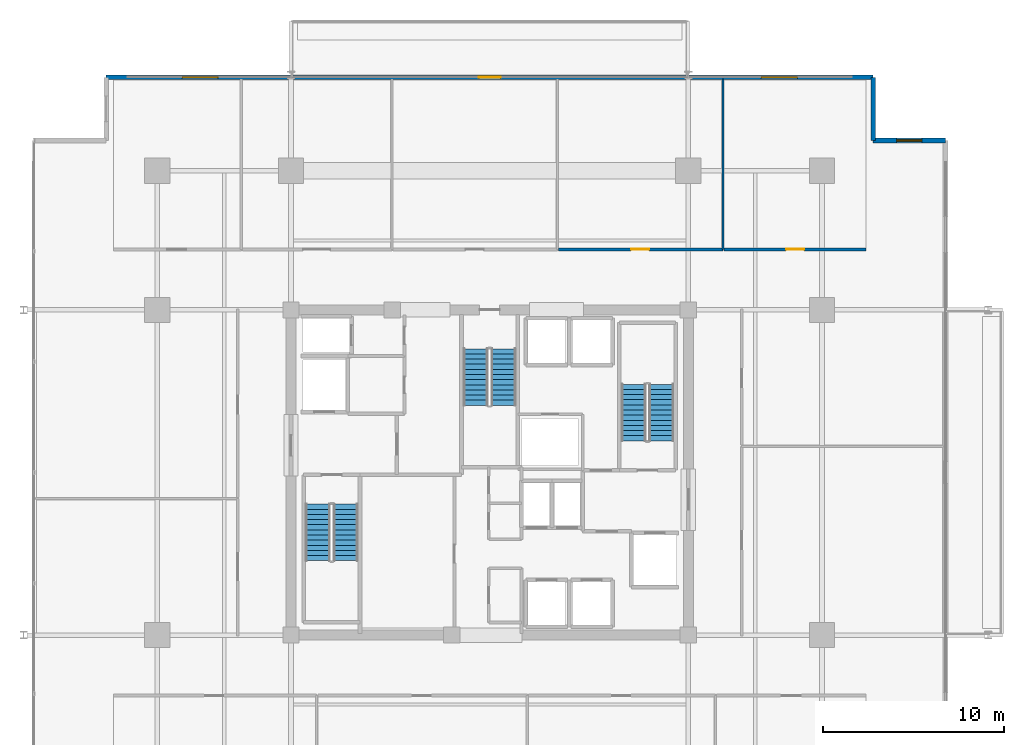
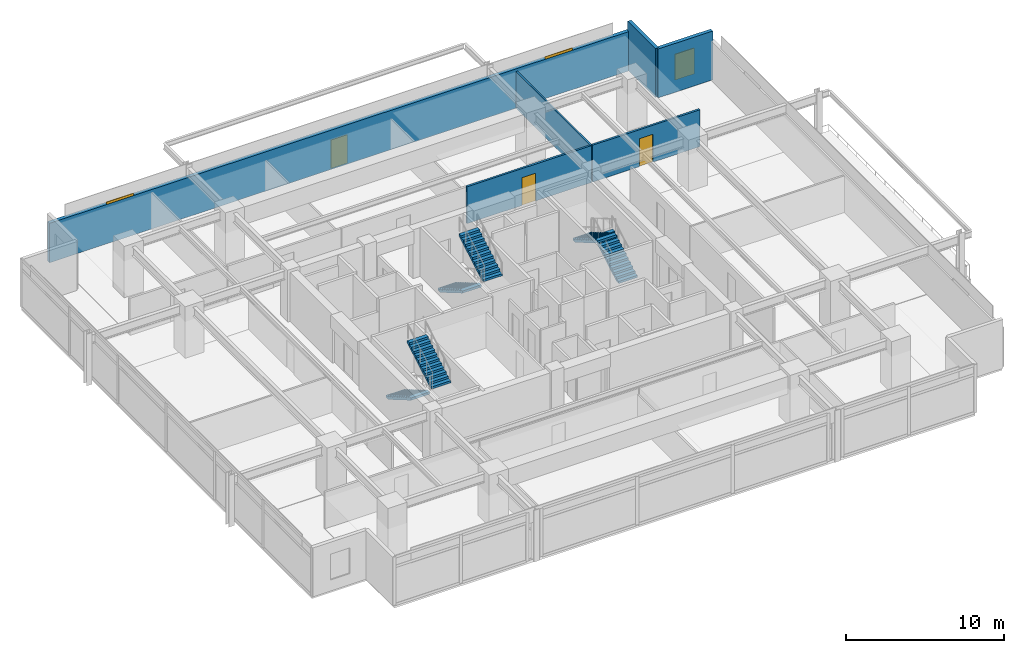
# One storey, part 16 of 20: 6 stair flights, 6 walls, 3 doors, 3 windows, 6 openings, 3 elements without a shape of their own.
"""IFC4 building model written with IfcOpenShell, lengths in metres."""

from ifc_helpers import new_model, si_unit, direction, frame, frame_2d, origin, place, context, subcontext, project, spatial, polyline, rectangle, outline, extrude, material, layer, layer_set, type_object, element, fill, aggregate, save


model = new_model("IFC4")

# Units and contexts
model_context = context("Model", 3, precision=1e-05, world=origin(), true_north=direction((0.0, 1.0)))
body_context = subcontext(model_context, "Body", "Model", "MODEL_VIEW")
ifc_project = project(units=[si_unit("LENGTHUNIT", "METRE"), si_unit("AREAUNIT", "SQUARE_METRE"), si_unit("VOLUMEUNIT", "CUBIC_METRE"), si_unit("PLANEANGLEUNIT", "RADIAN"), si_unit("MASSUNIT", "GRAM", prefix="KILO")], contexts=[model_context])

# Site, building, storey
site_placement = place(None, origin())
site = spatial("IfcSite", under=ifc_project, at=site_placement, CompositionType="ELEMENT")
building_placement = place(site_placement, origin())
building = spatial("IfcBuilding", under=site, at=building_placement, Name="Kovane Verandah Tower", CompositionType="ELEMENT")
storey_placement = place(building_placement, frame((0.0, 0.0, 213.199951171875)))
storey = spatial("IfcBuildingStorey", under=building, at=storey_placement, Name="L49", CompositionType="ELEMENT", Elevation=213.199951171875)

# Wall, opening, door
ifc_material_1 = material(Name="Fire-Rated Gypsum Stud Partition", Category="gypsum")
ifc_layer_1 = layer(ifc_material_1, 0.14990234375)
ifc_layer_set_1 = layer_set([ifc_layer_1], Name="Fire-Rated Gypsum Stud Partition")
wall_type_1 = type_object("IfcWallType", Name="WL-COR-150", PredefinedType="PARTITIONING", material=ifc_layer_set_1)
wall_1_placement = place(storey_placement, frame((43.819580078125, 39.85009765625, 0.0), z_axis=(0.0, 0.0, 1.0), x_axis=(1.0, 0.0, 0.0)))
wall_1 = element("IfcWall", 1, at=wall_1_placement, inside=storey, type_object=wall_type_1, Name="L49 Focus Studio N4 Corridor Partition", PredefinedType="PARTITIONING", context=body_context, shape_type="SweptSolid", body=[
    extrude(rectangle(XDim=9.09619140625, YDim=0.14990234375, at=frame_2d((4.548095703125, 0.0))), origin(), (0.0, 0.0, 1.0), 2.85009765625),
])
opening_1_placement = place(wall_1_placement, frame((4.012939453125, 0.0, 0.0)))
opening_1 = element("IfcOpeningElement", 2, at=opening_1_placement, cuts=wall_1, Name="Opening DR-L49-019", PredefinedType="OPENING", context=body_context, shape_type="SweptSolid", body=[
    extrude(rectangle(XDim=1.0, YDim=2.14990234375, at=frame_2d((0.5, 1.074951171875))), frame((0.0, 0.074951171875, 0.0), z_axis=(0.0, -1.0, 0.0), x_axis=(1.0, 0.0, 0.0)), (0.0, 0.0, 1.0), 0.14990234375),
])
ifc_material_2 = material(Name="FSC Spotted-Gum Timber Fire-Rated Office Door", Category="wood")
door_type_1 = type_object("IfcDoorType", Name="DR-OFF-1000", OperationType="SINGLE_SWING_LEFT", PredefinedType="DOOR", material=ifc_material_2)
door_1_placement = place(opening_1_placement, origin())
door_1 = element("IfcDoor", 3, at=door_1_placement, inside=storey, type_object=door_type_1, Name="L49 Focus Studio N4 Entrance Door", OperationType="SINGLE_SWING_RIGHT", OverallHeight=2.14990234375, OverallWidth=1.0, PredefinedType="DOOR", context=body_context, shape_type="SweptSolid", body=[
    extrude(rectangle(XDim=1.0, YDim=2.14990234375, at=frame_2d((0.5, 1.074951171875))), frame((0.0, 0.02490234375, 0.0), z_axis=(0.0, -1.0, 0.0), x_axis=(1.0, 0.0, 0.0)), (0.0, 0.0, 1.0), 0.050048828125),
])
fill(opening_1, door_1)

wall_2_placement = place(storey_placement, frame((52.985595703125, 39.85009765625, 0.0), z_axis=(0.0, 0.0, 1.0), x_axis=(1.0, 0.0, 0.0)))
wall_2 = element("IfcWall", 4, at=wall_2_placement, inside=storey, type_object=wall_type_1, Name="L49 Breakout Pantry N5 Corridor Partition", PredefinedType="PARTITIONING", context=body_context, shape_type="SweptSolid", body=[
    extrude(rectangle(XDim=7.84619140625, YDim=0.14990234375, at=frame_2d((3.923095703125, 0.0))), origin(), (0.0, 0.0, 1.0), 2.85009765625),
])
opening_2_placement = place(wall_2_placement, frame((3.423095703125, 0.0, 0.0)))
opening_2 = element("IfcOpeningElement", 5, at=opening_2_placement, cuts=wall_2, Name="Opening DR-L49-020", PredefinedType="OPENING", context=body_context, shape_type="SweptSolid", body=[
    extrude(rectangle(XDim=1.0, YDim=2.14990234375, at=frame_2d((0.5, 1.074951171875))), frame((0.0, 0.074951171875, 0.0), z_axis=(0.0, -1.0, 0.0), x_axis=(1.0, 0.0, 0.0)), (0.0, 0.0, 1.0), 0.14990234375),
])
door_2_placement = place(opening_2_placement, origin())
door_2 = element("IfcDoor", 6, at=door_2_placement, inside=storey, type_object=door_type_1, Name="L49 Breakout Pantry N5 Entrance Door", OperationType="SINGLE_SWING_LEFT", OverallHeight=2.14990234375, OverallWidth=1.0, PredefinedType="DOOR", context=body_context, shape_type="SweptSolid", body=[
    extrude(rectangle(XDim=1.0, YDim=2.14990234375, at=frame_2d((0.5, 1.074951171875))), frame((0.0, 0.02490234375, 0.0), z_axis=(0.0, -1.0, 0.0), x_axis=(1.0, 0.0, 0.0)), (0.0, 0.0, 1.0), 0.050048828125),
])
fill(opening_2, door_2)

# Wall
ifc_material_3 = material(Name="Acoustic Fire-Rated Gypsum Partition", Category="gypsum")
ifc_layer_2 = layer(ifc_material_3, 0.1201171875)
ifc_layer_set_2 = layer_set([ifc_layer_2], Name="Acoustic Fire-Rated Gypsum Partition")
wall_type_2 = type_object("IfcWallType", Name="WL-PART-120", PredefinedType="PARTITIONING", material=ifc_layer_set_2)
wall_3_placement = place(storey_placement, frame((52.915771484375, 39.85009765625, 0.0), z_axis=(0.0, 0.0, 1.0), x_axis=(0.0, 1.0, 0.0)))
element("IfcWall", 7, at=wall_3_placement, inside=storey, type_object=wall_type_2, Name="L49 Focus Studio N4 Dividing Partition", PredefinedType="PARTITIONING", context=body_context, shape_type="SweptSolid", body=[
    extrude(rectangle(XDim=9.430419921875, YDim=0.1201171875, at=frame_2d((4.71533203125, 0.0))), origin(), (0.0, 0.0, 1.0), 2.85009765625),
])

# Wall, openings, door, windows
ifc_material_4 = material(Name="Concrete C45/55 Insulated Spandrel Wall", Category="concrete")
ifc_layer_3 = layer(ifc_material_4, 0.260009765625)
ifc_layer_set_3 = layer_set([ifc_layer_3], Name="Concrete C45/55 Insulated Spandrel Wall")
wall_type_3 = type_object("IfcWallType", Name="WL-SPANDREL-260", PredefinedType="PARAPET", material=ifc_layer_set_3)
wall_4_placement = place(storey_placement, frame((61.231689453125, 49.380615234375, 0.0), z_axis=(0.0, 0.0, 1.0), x_axis=(-1.0, 0.0, 0.0)))
wall_4 = element("IfcWall", 8, at=wall_4_placement, inside=storey, type_object=wall_type_3, Name="L49 N Verandah Access Facade Wall", PredefinedType="PARAPET", context=body_context, shape_type="SweptSolid", body=[
    extrude(rectangle(XDim=42.46337890625, YDim=0.260009765625, at=frame_2d((21.231689453125, 0.0))), origin(), (0.0, 0.0, 1.0), 3.047119140625),
])
opening_3_placement = place(wall_4_placement, frame((4.199951171875, 0.0, 0.85009765625)))
opening_3 = element("IfcOpeningElement", 9, at=opening_3_placement, cuts=wall_4, Name="Opening W-04", PredefinedType="OPENING", context=body_context, shape_type="SweptSolid", body=[
    extrude(rectangle(XDim=2.0, YDim=2.300048828125, at=frame_2d((1.0, 1.14990234375))), frame((0.0, 0.1298828125, 0.0), z_axis=(0.0, -1.0, 0.0), x_axis=(1.0, 0.0, 0.0)), (0.0, 0.0, 1.0), 0.260009765625),
])
opening_4_placement = place(wall_4_placement, frame((20.631591796875, 0.0, 0.0)))
opening_4 = element("IfcOpeningElement", 10, at=opening_4_placement, cuts=wall_4, Name="Opening DR-L49-002", PredefinedType="OPENING", context=body_context, shape_type="SweptSolid", body=[
    extrude(rectangle(XDim=1.199951171875, YDim=2.199951171875, at=frame_2d((0.60009765625, 1.10009765625))), frame((0.0, 0.1298828125, 0.0), z_axis=(0.0, -1.0, 0.0), x_axis=(1.0, 0.0, 0.0)), (0.0, 0.0, 1.0), 0.260009765625),
])
opening_5_placement = place(wall_4_placement, frame((36.263427734375, 0.0, 0.85009765625)))
opening_5 = element("IfcOpeningElement", 11, at=opening_5_placement, cuts=wall_4, Name="Opening W-04", PredefinedType="OPENING", context=body_context, shape_type="SweptSolid", body=[
    extrude(rectangle(XDim=2.0, YDim=2.300048828125, at=frame_2d((1.0, 1.14990234375))), frame((0.0, 0.1298828125, 0.0), z_axis=(0.0, -1.0, 0.0), x_axis=(1.0, 0.0, 0.0)), (0.0, 0.0, 1.0), 0.260009765625),
])
ifc_material_5 = material(Name="Cyclone-Rated Glazed Balcony Leaf Door", Category="aluminium")
door_type_2 = type_object("IfcDoorType", Name="DR-BAL-1200x2200", OperationType="SINGLE_SWING_LEFT", PredefinedType="DOOR", material=ifc_material_5)
door_3_placement = place(opening_4_placement, origin())
door_3 = element("IfcDoor", 12, at=door_3_placement, inside=storey, type_object=door_type_2, Name="L49 N Planted Balcony Access Door", OperationType="SINGLE_SWING_LEFT", OverallHeight=2.199951171875, OverallWidth=1.199951171875, PredefinedType="DOOR", context=body_context, shape_type="SweptSolid", body=[
    extrude(rectangle(XDim=1.199951171875, YDim=2.199951171875, at=frame_2d((0.60009765625, 1.10009765625))), frame((0.0, 0.02490234375, 0.0), z_axis=(0.0, -1.0, 0.0), x_axis=(1.0, 0.0, 0.0)), (0.0, 0.0, 1.0), 0.050048828125),
])
fill(opening_4, door_3)
ifc_material_6 = material(Name="Clear Low-E Laminated Double Glazing in Anodised Frame", Category="glass")
window_type_1 = type_object("IfcWindowType", Name="WN-FIXED-2000x2300", PartitioningType="SINGLE_PANEL", PredefinedType="WINDOW", material=ifc_material_6)
window_1_placement = place(opening_3_placement, origin())
window_1 = element("IfcWindow", 13, at=window_1_placement, inside=storey, type_object=window_type_1, Name="L49 N Verandah View Window 1", OverallHeight=2.300048828125, OverallWidth=2.0, PartitioningType="SINGLE_PANEL", PredefinedType="WINDOW", context=body_context, shape_type="SweptSolid", body=[
    extrude(rectangle(XDim=2.0, YDim=2.300048828125, at=frame_2d((1.0, 1.14990234375))), frame((0.0, 0.030029296875, 0.0), z_axis=(0.0, -1.0, 0.0), x_axis=(1.0, 0.0, 0.0)), (0.0, 0.0, 1.0), 0.06005859375),
])
fill(opening_3, window_1)
window_2_placement = place(opening_5_placement, origin())
window_2 = element("IfcWindow", 14, at=window_2_placement, inside=storey, type_object=window_type_1, Name="L49 N Verandah View Window 2", OverallHeight=2.300048828125, OverallWidth=2.0, PartitioningType="SINGLE_PANEL", PredefinedType="WINDOW", context=body_context, shape_type="SweptSolid", body=[
    extrude(rectangle(XDim=2.0, YDim=2.300048828125, at=frame_2d((1.0, 1.14990234375))), frame((0.0, 0.030029296875, 0.0), z_axis=(0.0, -1.0, 0.0), x_axis=(1.0, 0.0, 0.0)), (0.0, 0.0, 1.0), 0.06005859375),
])
fill(opening_5, window_2)

# Wall, opening, window
wall_5_placement = place(storey_placement, frame((65.231689453125, 45.880615234375, 0.0), z_axis=(0.0, 0.0, 1.0), x_axis=(-1.0, 0.0, 0.0)))
wall_5 = element("IfcWall", 15, at=wall_5_placement, inside=storey, type_object=wall_type_3, Name="L49 NE Notch Cheek Wall 1", PredefinedType="PARAPET", context=body_context, shape_type="SweptSolid", body=[
    extrude(rectangle(XDim=4.0, YDim=0.260009765625, at=frame_2d((2.0, 0.0))), origin(), (0.0, 0.0, 1.0), 3.775146484375),
])
opening_6_placement = place(wall_5_placement, frame((1.300048828125, 0.0, 0.85009765625)))
opening_6 = element("IfcOpeningElement", 16, at=opening_6_placement, cuts=wall_5, Name="Opening W-01", PredefinedType="OPENING", context=body_context, shape_type="SweptSolid", body=[
    extrude(rectangle(XDim=1.39990234375, YDim=2.0, at=frame_2d((0.699951171875, 1.0))), frame((0.0, 0.1298828125, 0.0), z_axis=(0.0, -1.0, 0.0), x_axis=(1.0, 0.0, 0.0)), (0.0, 0.0, 1.0), 0.260009765625),
])
window_type_2 = type_object("IfcWindowType", Name="WN-OPER-1400x2000", PartitioningType="SINGLE_PANEL", PredefinedType="WINDOW", material=ifc_material_6)
window_3_placement = place(opening_6_placement, origin())
window_3 = element("IfcWindow", 17, at=window_3_placement, inside=storey, type_object=window_type_2, Name="L49 NE Re-Entrant Corner Operable Window", OverallHeight=2.0, OverallWidth=1.39990234375, PartitioningType="SINGLE_PANEL", PredefinedType="WINDOW", context=body_context, shape_type="SweptSolid", body=[
    extrude(rectangle(XDim=1.39990234375, YDim=2.0, at=frame_2d((0.699951171875, 1.0))), frame((0.0, 0.030029296875, 0.0), z_axis=(0.0, -1.0, 0.0), x_axis=(1.0, 0.0, 0.0)), (0.0, 0.0, 1.0), 0.06005859375),
])
fill(opening_6, window_3)

# Wall
wall_6_placement = place(storey_placement, frame((61.231689453125, 45.880615234375, 0.0), z_axis=(0.0, 0.0, 1.0), x_axis=(0.0, 1.0, 0.0)))
element("IfcWall", 18, at=wall_6_placement, inside=storey, type_object=wall_type_3, Name="L49 NE Notch Cheek Wall 2", PredefinedType="PARAPET", context=body_context, shape_type="SweptSolid", body=[
    extrude(rectangle(XDim=3.5, YDim=0.260009765625, at=frame_2d((1.75, 0.0))), origin(), (0.0, 0.0, 1.0), 3.775146484375),
])

# Stair, stair flights
ifc_material_7 = material(Name="Concrete C45/55", Category="concrete")
stair_type = type_object("IfcStairType", Name="ST-CORE-1380", PredefinedType="HALF_TURN_STAIR", material=ifc_material_7)
stair_1_placement = place(storey_placement, origin())
stair_1 = element("IfcStair", 19, at=stair_1_placement, inside=storey, type_object=stair_type, Name="L49 Exit Stair ST-01", PredefinedType="HALF_TURN_STAIR")
stair_flight_type = type_object("IfcStairFlightType", Name="STF-CORE-1380", PredefinedType="STRAIGHT", material=ifc_material_7)
stair_flight_1_placement = place(storey_placement, frame((30.489990234375, 25.75, 0.0), z_axis=(0.0, 0.0, 1.0), x_axis=(0.0, -1.0, 0.0)))
stair_flight_1 = element("IfcStairFlight", 20, at=stair_flight_1_placement, type_object=stair_flight_type, Name="ST-01 flight 1", NumberOfRisers=12, NumberOfTreads=11, PredefinedType="STRAIGHT", RiserHeight=0.166666667, TreadLength=0.285, context=body_context, shape_type="SweptSolid", body=[
    extrude(outline(polyline([(0.0, 0.0), (0.0, 0.166748046875), (0.284912109375, 0.166748046875), (0.284912109375, 0.333251953125), (0.570068359375, 0.333251953125), (0.570068359375, 0.5), (0.85498046875, 0.5), (0.85498046875, 0.666748046875), (1.139892578125, 0.666748046875), (1.139892578125, 0.833251953125), (1.425048828125, 0.833251953125), (1.425048828125, 1.0), (1.7099609375, 1.0), (1.7099609375, 1.166748046875), (1.9951171875, 1.166748046875), (1.9951171875, 1.333251953125), (2.280029296875, 1.333251953125), (2.280029296875, 1.5), (2.56494140625, 1.5), (2.56494140625, 1.666748046875), (2.85009765625, 1.666748046875), (2.85009765625, 1.833251953125), (3.135009765625, 1.833251953125), (3.135009765625, 2.0), (3.135009765625, 1.65966796875), (0.296875, 0.0), (0.0, 0.0)])), frame((0.0, 0.68994140625, 0.0), z_axis=(0.0, -1.0, 0.0), x_axis=(1.0, 0.0, 0.0)), (0.0, 0.0, 1.0), 1.3798828125),
])
stair_flight_2_placement = place(storey_placement, frame((32.030029296875, 22.614990234375, 2.0), z_axis=(0.0, 0.0, 1.0), x_axis=(0.0, 1.0, 0.0)))
stair_flight_2 = element("IfcStairFlight", 21, at=stair_flight_2_placement, type_object=stair_flight_type, Name="ST-01 flight 2", NumberOfRisers=12, NumberOfTreads=11, PredefinedType="STRAIGHT", RiserHeight=0.166666667, TreadLength=0.285, context=body_context, shape_type="SweptSolid", body=[
    extrude(outline(polyline([(0.0, 0.0), (0.0, 0.166748046875), (0.284912109375, 0.166748046875), (0.284912109375, 0.333251953125), (0.570068359375, 0.333251953125), (0.570068359375, 0.5), (0.85498046875, 0.5), (0.85498046875, 0.666748046875), (1.139892578125, 0.666748046875), (1.139892578125, 0.833251953125), (1.425048828125, 0.833251953125), (1.425048828125, 1.0), (1.7099609375, 1.0), (1.7099609375, 1.166748046875), (1.9951171875, 1.166748046875), (1.9951171875, 1.333251953125), (2.280029296875, 1.333251953125), (2.280029296875, 1.5), (2.56494140625, 1.5), (2.56494140625, 1.666748046875), (2.85009765625, 1.666748046875), (2.85009765625, 1.833251953125), (3.135009765625, 1.833251953125), (3.135009765625, 2.0), (3.135009765625, 1.65966796875), (0.296875, 0.0), (0.0, 0.0)])), frame((0.0, 0.68994140625, 0.0), z_axis=(0.0, -1.0, 0.0), x_axis=(1.0, 0.0, 0.0)), (0.0, 0.0, 1.0), 1.3798828125),
])
aggregate(stair_1, [stair_flight_1, stair_flight_2])

stair_2_placement = place(storey_placement, origin())
stair_2 = element("IfcStair", 22, at=stair_2_placement, inside=storey, type_object=stair_type, Name="L49 Exit Stair ST-02", PredefinedType="HALF_TURN_STAIR")
stair_flight_3_placement = place(storey_placement, frame((49.510009765625, 29.25, 0.0), z_axis=(0.0, 0.0, 1.0), x_axis=(0.0, 1.0, 0.0)))
stair_flight_3 = element("IfcStairFlight", 23, at=stair_flight_3_placement, type_object=stair_flight_type, Name="ST-02 flight 1", NumberOfRisers=12, NumberOfTreads=11, PredefinedType="STRAIGHT", RiserHeight=0.166666667, TreadLength=0.285, context=body_context, shape_type="SweptSolid", body=[
    extrude(outline(polyline([(0.0, 0.0), (0.0, 0.166748046875), (0.284912109375, 0.166748046875), (0.284912109375, 0.333251953125), (0.570068359375, 0.333251953125), (0.570068359375, 0.5), (0.85498046875, 0.5), (0.85498046875, 0.666748046875), (1.139892578125, 0.666748046875), (1.139892578125, 0.833251953125), (1.425048828125, 0.833251953125), (1.425048828125, 1.0), (1.7099609375, 1.0), (1.7099609375, 1.166748046875), (1.9951171875, 1.166748046875), (1.9951171875, 1.333251953125), (2.280029296875, 1.333251953125), (2.280029296875, 1.5), (2.56494140625, 1.5), (2.56494140625, 1.666748046875), (2.85009765625, 1.666748046875), (2.85009765625, 1.833251953125), (3.135009765625, 1.833251953125), (3.135009765625, 2.0), (3.135009765625, 1.65966796875), (0.296875, 0.0), (0.0, 0.0)])), frame((0.0, 0.68994140625, 0.0), z_axis=(0.0, -1.0, 0.0), x_axis=(1.0, 0.0, 0.0)), (0.0, 0.0, 1.0), 1.3798828125),
])
stair_flight_4_placement = place(storey_placement, frame((47.969970703125, 32.385009765625, 2.0), z_axis=(0.0, 0.0, 1.0), x_axis=(0.0, -1.0, 0.0)))
stair_flight_4 = element("IfcStairFlight", 24, at=stair_flight_4_placement, type_object=stair_flight_type, Name="ST-02 flight 2", NumberOfRisers=12, NumberOfTreads=11, PredefinedType="STRAIGHT", RiserHeight=0.166666667, TreadLength=0.285, context=body_context, shape_type="SweptSolid", body=[
    extrude(outline(polyline([(0.0, 0.0), (0.0, 0.166748046875), (0.284912109375, 0.166748046875), (0.284912109375, 0.333251953125), (0.570068359375, 0.333251953125), (0.570068359375, 0.5), (0.85498046875, 0.5), (0.85498046875, 0.666748046875), (1.139892578125, 0.666748046875), (1.139892578125, 0.833251953125), (1.425048828125, 0.833251953125), (1.425048828125, 1.0), (1.7099609375, 1.0), (1.7099609375, 1.166748046875), (1.9951171875, 1.166748046875), (1.9951171875, 1.333251953125), (2.280029296875, 1.333251953125), (2.280029296875, 1.5), (2.56494140625, 1.5), (2.56494140625, 1.666748046875), (2.85009765625, 1.666748046875), (2.85009765625, 1.833251953125), (3.135009765625, 1.833251953125), (3.135009765625, 2.0), (3.135009765625, 1.65966796875), (0.296875, 0.0), (0.0, 0.0)])), frame((0.0, 0.68994140625, 0.0), z_axis=(0.0, -1.0, 0.0), x_axis=(1.0, 0.0, 0.0)), (0.0, 0.0, 1.0), 1.3798828125),
])
aggregate(stair_2, [stair_flight_3, stair_flight_4])

stair_3_placement = place(storey_placement, origin())
stair_3 = element("IfcStair", 25, at=stair_3_placement, inside=storey, type_object=stair_type, Name="L49 Exit Stair ST-03", PredefinedType="HALF_TURN_STAIR")
stair_flight_5_placement = place(storey_placement, frame((39.22998046875, 34.35009765625, 0.0), z_axis=(0.0, 0.0, 1.0), x_axis=(0.0, -1.0, 0.0)))
stair_flight_5 = element("IfcStairFlight", 26, at=stair_flight_5_placement, type_object=stair_flight_type, Name="ST-03 flight 1", NumberOfRisers=12, NumberOfTreads=11, PredefinedType="STRAIGHT", RiserHeight=0.166666667, TreadLength=0.285, context=body_context, shape_type="SweptSolid", body=[
    extrude(outline(polyline([(0.0, 0.0), (0.0, 0.166748046875), (0.284912109375, 0.166748046875), (0.284912109375, 0.333251953125), (0.570068359375, 0.333251953125), (0.570068359375, 0.5), (0.85498046875, 0.5), (0.85498046875, 0.666748046875), (1.139892578125, 0.666748046875), (1.139892578125, 0.833251953125), (1.425048828125, 0.833251953125), (1.425048828125, 1.0), (1.7099609375, 1.0), (1.7099609375, 1.166748046875), (1.9951171875, 1.166748046875), (1.9951171875, 1.333251953125), (2.280029296875, 1.333251953125), (2.280029296875, 1.5), (2.56494140625, 1.5), (2.56494140625, 1.666748046875), (2.85009765625, 1.666748046875), (2.85009765625, 1.833251953125), (3.135009765625, 1.833251953125), (3.135009765625, 2.0), (3.135009765625, 1.65966796875), (0.296875, 0.0), (0.0, 0.0)])), frame((0.0, 0.68994140625, 0.0), z_axis=(0.0, -1.0, 0.0), x_axis=(1.0, 0.0, 0.0)), (0.0, 0.0, 1.0), 1.3798828125),
])
stair_flight_6_placement = place(storey_placement, frame((40.77001953125, 31.215087890625, 2.0), z_axis=(0.0, 0.0, 1.0), x_axis=(0.0, 1.0, 0.0)))
stair_flight_6 = element("IfcStairFlight", 27, at=stair_flight_6_placement, type_object=stair_flight_type, Name="ST-03 flight 2", NumberOfRisers=12, NumberOfTreads=11, PredefinedType="STRAIGHT", RiserHeight=0.166666667, TreadLength=0.285, context=body_context, shape_type="SweptSolid", body=[
    extrude(outline(polyline([(0.0, 0.0), (0.0, 0.166748046875), (0.284912109375, 0.166748046875), (0.284912109375, 0.333251953125), (0.570068359375, 0.333251953125), (0.570068359375, 0.5), (0.85498046875, 0.5), (0.85498046875, 0.666748046875), (1.139892578125, 0.666748046875), (1.139892578125, 0.833251953125), (1.425048828125, 0.833251953125), (1.425048828125, 1.0), (1.7099609375, 1.0), (1.7099609375, 1.166748046875), (1.9951171875, 1.166748046875), (1.9951171875, 1.333251953125), (2.280029296875, 1.333251953125), (2.280029296875, 1.5), (2.56494140625, 1.5), (2.56494140625, 1.666748046875), (2.85009765625, 1.666748046875), (2.85009765625, 1.833251953125), (3.135009765625, 1.833251953125), (3.135009765625, 2.0), (3.135009765625, 1.65966796875), (0.296875, 0.0), (0.0, 0.0)])), frame((0.0, 0.68994140625, 0.0), z_axis=(0.0, -1.0, 0.0), x_axis=(1.0, 0.0, 0.0)), (0.0, 0.0, 1.0), 1.3798828125),
])
aggregate(stair_3, [stair_flight_5, stair_flight_6])

save(model, "model.ifc")
